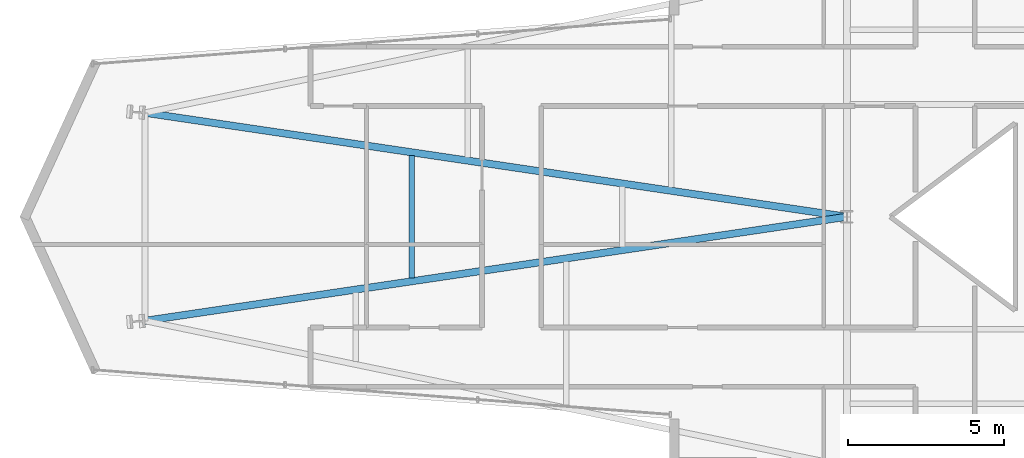
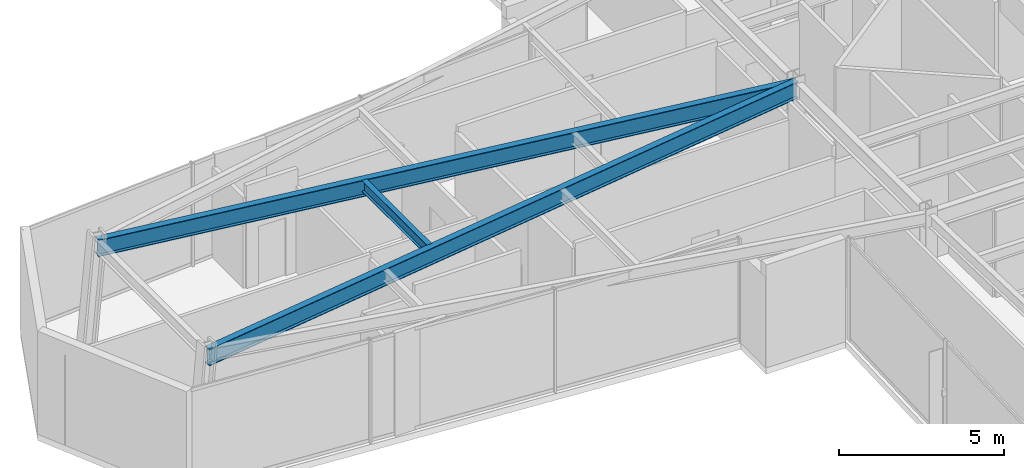
# One storey, part 7 of 29: 3 beams.
"""IFC4 building model written with IfcOpenShell, lengths in metres."""

import ifcopenshell
import ifcopenshell.guid

model = None  # the IFC model being written
_history = None  # IfcOwnerHistory: only IFC2X3 demands one
_inside = {}  # id of a spatial element -> (the spatial element, [elements in it])
_under = {}  # id of a project, library or spatial element -> (it, [spatial elements below it])
_declared = {}  # id of a project -> (the project, [libraries it declares])
_typed = {}  # id of a type object -> (the type object, [elements of that type])
_made_of = {}  # id of a material, layer set ... -> (it, [elements and type objects made of it])


def new_model(schema):
    """Start an empty IFC model of exactly this schema.

    Asked for "IFC4X3", IfcOpenShell would pick the latest addendum, in which some entities
    have other attributes; the version numbers below select the first issue.
    IFC2X3 requires an IfcOwnerHistory on every rooted entity: one is made here for all.
    """
    global model, _history
    if schema == "IFC4X3":
        model = ifcopenshell.file(schema_version=(4, 3, 0, 0))
    else:
        model = ifcopenshell.file(schema=schema)
    _inside.clear()
    _under.clear()
    _declared.clear()
    _typed.clear()
    _made_of.clear()
    _history = None
    if model.schema == "IFC2X3":
        org = make("IfcOrganization", Name="unknown")
        user = make(
            "IfcPersonAndOrganization",
            ThePerson=make("IfcPerson", FamilyName="unknown"),
            TheOrganization=org,
        )
        app = make(
            "IfcApplication",
            ApplicationDeveloper=org,
            Version="unknown",
            ApplicationFullName="unknown",
            ApplicationIdentifier="unknown",
        )
        _history = make(
            "IfcOwnerHistory",
            OwningUser=user,
            OwningApplication=app,
            ChangeAction="ADDED",
            CreationDate=0,
        )
    return model


def make(cls, **values):
    """One entity of the class cls with the attributes given. An attribute that is None is left unset."""
    return model.create_entity(
        cls, **{name: value for name, value in values.items() if value is not None}
    )


def rooted(cls, **values):
    """An entity with a GlobalId (a new one), such as an element, a storey or a relation."""
    return make(cls, GlobalId=ifcopenshell.guid.new(), OwnerHistory=_history, **values)


def si_unit(unit_type, name, prefix=None):
    """IfcSIUnit, for example si_unit("LENGTHUNIT", "METRE", prefix="MILLI")."""
    return make("IfcSIUnit", UnitType=unit_type, Prefix=prefix, Name=name)


def assignment(units):
    """IfcUnitAssignment: the units of a project."""
    return None if units is None else make("IfcUnitAssignment", Units=units)


def point(xyz):
    """IfcCartesianPoint."""
    return None if xyz is None else make("IfcCartesianPoint", Coordinates=xyz)


def direction(xyz):
    """IfcDirection."""
    return None if xyz is None else make("IfcDirection", DirectionRatios=xyz)


def frame(location, z_axis=None, x_axis=None):
    """IfcAxis2Placement3D, a coordinate frame: its origin and axes. An axis left out is left unset."""
    return make(
        "IfcAxis2Placement3D",
        Location=point(location),
        Axis=direction(z_axis),
        RefDirection=direction(x_axis),
    )


def frame_2d(location, x_axis=None):
    """IfcAxis2Placement2D, a coordinate frame in the plane: its origin and x axis."""
    return make(
        "IfcAxis2Placement2D", Location=point(location), RefDirection=direction(x_axis)
    )


def origin():
    """The frame at (0, 0, 0) with its axes left unset."""
    return frame((0.0, 0.0, 0.0))


def origin_2d():
    """The frame at (0, 0) in the plane with its x axis left unset."""
    return frame_2d((0.0, 0.0))


def place(relative_to, where):
    """IfcLocalPlacement: puts the frame where relative to a parent placement (None: the world)."""
    return make(
        "IfcLocalPlacement", PlacementRelTo=relative_to, RelativePlacement=where
    )


def context(
    kind, dimensions, precision=None, world=None, true_north=None, identifier=None
):
    """IfcGeometricRepresentationContext, for example the 3D "Model" context."""
    return make(
        "IfcGeometricRepresentationContext",
        ContextIdentifier=identifier,
        ContextType=kind,
        CoordinateSpaceDimension=dimensions,
        Precision=precision,
        WorldCoordinateSystem=world,
        TrueNorth=true_north,
    )


def subcontext(parent, identifier, kind, view, scale=None):
    """IfcGeometricRepresentationSubContext, for example "Body" below "Model"."""
    return make(
        "IfcGeometricRepresentationSubContext",
        ContextIdentifier=identifier,
        ContextType=kind,
        ParentContext=parent,
        TargetScale=scale,
        TargetView=view,
    )


def project(units=None, contexts=None):
    """IfcProject with its units and contexts."""
    return rooted(
        "IfcProject",
        Name="project",
        RepresentationContexts=contexts,
        UnitsInContext=assignment(units),
    )


def spatial(cls, under=None, at=None, **own):
    """A site, building, storey or space (cls), placed at a placement, below another one or the project."""
    s = rooted(cls, ObjectPlacement=at, **own)
    if under is not None:
        _under.setdefault(under.id(), (under, []))[1].append(s)
    return s


def profile(cls, at=None, kind="AREA", **sizes):
    """A parametric profile (cls). Its sizes go by their IFC names, for example OverallWidth=200.0."""
    return make(cls, ProfileType=kind, Position=at, **sizes)


def i_section(**sizes):
    """IfcIShapeProfileDef."""
    return profile("IfcIShapeProfileDef", **sizes)


def extrude(swept, where, along, depth):
    """IfcExtrudedAreaSolid: the profile swept, set in the frame where, extruded along a direction by depth."""
    return make(
        "IfcExtrudedAreaSolid",
        SweptArea=swept,
        Position=where,
        ExtrudedDirection=direction(along),
        Depth=depth,
    )


def shape(context_of_items, identifier, shape_type, items):
    """IfcShapeRepresentation: the items that make up one representation, for example the "Body"."""
    return make(
        "IfcShapeRepresentation",
        ContextOfItems=context_of_items,
        RepresentationIdentifier=identifier,
        RepresentationType=shape_type,
        Items=items,
    )


def material(Name=None, Category=None):
    """IfcMaterial."""
    return make("IfcMaterial", Name=Name, Category=Category)


def material_profile(
    of_material, cross_section, Name=None, Category=None, Priority=None
):
    """IfcMaterialProfile: a cross section and its material."""
    return make(
        "IfcMaterialProfile",
        Name=Name,
        Material=of_material,
        Profile=cross_section,
        Priority=Priority,
        Category=Category,
    )


def profile_set(profiles, Name=None, composite=None):
    """IfcMaterialProfileSet."""
    return make(
        "IfcMaterialProfileSet",
        Name=Name,
        MaterialProfiles=profiles,
        CompositeProfile=composite,
    )


def made_of(thing, what):
    """Note that an element or type object is made of a material, layer set ...; save() writes the relation."""
    if what is not None:
        _made_of.setdefault(what.id(), (what, []))[1].append(thing)
    return thing


def type_object(cls, material=None, **own):
    """A type object (cls), such as IfcWallType, which elements share."""
    return made_of(rooted(cls, **own), material)


def element(
    cls,
    number,
    at=None,
    inside=None,
    cuts=None,
    type_object=None,
    material=None,
    context=None,
    identifier="Body",
    shape_type=None,
    held_by="IfcProductDefinitionShape",
    body=None,
    shapes=None,
    **own,
):
    """One element of the class cls, such as IfcWall. Its Tag is "e" and its number.

    at: its placement. inside: the storey or other place that contains it. cuts: it is an
    opening in that element (IfcRelVoidsElement). A single representation is given by context,
    identifier, shape_type and body (its items); several are given by shapes. held_by: the class
    of the entity that holds the representations. save() writes the other relations.
    """
    e = rooted(cls, Tag="e%d" % number, ObjectPlacement=at, **own)
    if body is not None:
        shapes = [shape(context, identifier, shape_type, body)]
    if shapes is not None:
        e.Representation = make(held_by, Representations=shapes)
    if inside is not None:
        _inside.setdefault(inside.id(), (inside, []))[1].append(e)
    if cuts is not None:
        rooted(
            "IfcRelVoidsElement", RelatingBuildingElement=cuts, RelatedOpeningElement=e
        )
    if type_object is not None:
        _typed.setdefault(type_object.id(), (type_object, []))[1].append(e)
    return made_of(e, material)


def aggregate(whole, parts):
    """IfcRelAggregates: a whole, such as a stair, and the parts it consists of."""
    return rooted("IfcRelAggregates", RelatingObject=whole, RelatedObjects=parts)


def save(model, path):
    """Write the relations noted so far, then the file.

    IfcRelAggregates (storeys below a building ...), IfcRelContainedInSpatialStructure (elements
    in a storey), IfcRelDefinesByType, IfcRelAssociatesMaterial and IfcRelDeclares: one each for
    every whole, place, type object, material and project.
    """
    for whole, parts in _under.values():
        aggregate(whole, parts)
    for where, things in _inside.values():
        rooted(
            "IfcRelContainedInSpatialStructure",
            RelatedElements=things,
            RelatingStructure=where,
        )
    for kind, things in _typed.values():
        rooted("IfcRelDefinesByType", RelatedObjects=things, RelatingType=kind)
    for what, things in _made_of.values():
        rooted("IfcRelAssociatesMaterial", RelatedObjects=things, RelatingMaterial=what)
    for by, libraries in _declared.values():
        rooted("IfcRelDeclares", RelatingContext=by, RelatedDefinitions=libraries)
    model.write(path)


model = new_model("IFC4")

# Units and contexts
model_context = context("Model", 3, precision=1e-05, world=origin(), true_north=direction((0.0, 1.0)))
body_context = subcontext(model_context, "Body", "Model", "MODEL_VIEW")
ifc_project = project(units=[si_unit("LENGTHUNIT", "METRE"), si_unit("AREAUNIT", "SQUARE_METRE"), si_unit("VOLUMEUNIT", "CUBIC_METRE"), si_unit("PLANEANGLEUNIT", "RADIAN"), si_unit("MASSUNIT", "GRAM", prefix="KILO")], contexts=[model_context])

# Site, building, storey
site_placement = place(None, origin())
site = spatial("IfcSite", under=ifc_project, at=site_placement, CompositionType="ELEMENT")
building_placement = place(site_placement, origin())
building = spatial("IfcBuilding", under=site, at=building_placement, Name="Veymaron Broadcast Tower", CompositionType="ELEMENT")
storey_placement = place(building_placement, frame((0.0, 0.0, 58.050048828125)))
storey = spatial("IfcBuildingStorey", under=building, at=storey_placement, Name="L12", CompositionType="ELEMENT", Elevation=58.050048828125)

# Beams
ifc_material = material(Name="Structural steel ASTM A992 Gr 50", Category="steel")
ifc_material_profile_1 = material_profile(ifc_material, i_section(OverallWidth=0.22998046875, OverallDepth=0.616943359375, WebThickness=0.01318359375, FlangeThickness=0.022216796875, at=origin_2d()), Name="W610X140")
ifc_profile_set_1 = profile_set([ifc_material_profile_1], Name="Structural steel ASTM A992 Gr 50")
beam_type_1 = type_object("IfcBeamType", Name="BM-FG1", PredefinedType="BEAM", material=ifc_profile_set_1)
for number, where, z_axis, x_axis, name in (
    (1, (8.697021484375, 20.6650390625, 3.50146484375), (0.989195854941, 0.146600001937, 0.0), (-0.146600001937, 0.989195854941, 0.0), "L12 primary structural floor girder"),
    (2, (8.697021484375, 27.3349609375, 3.50146484375), (0.989195854941, -0.146600001937, 0.0), (0.146600001937, 0.989195854941, 0.0), "L12 primary structural floor girder"),
):
    element("IfcBeam", number, at=place(storey_placement, frame(where, z_axis=z_axis, x_axis=x_axis)), inside=storey, type_object=beam_type_1, Name=name, PredefinedType="BEAM", context=body_context, shape_type="SweptSolid", body=[
        extrude(i_section(OverallWidth=0.22998046875, OverallDepth=0.616943359375, WebThickness=0.01318359375, FlangeThickness=0.022216796875, at=origin_2d()), origin(), (0.0, 0.0, 1.0), 22.748779296875),
    ])
ifc_material_profile_2 = material_profile(ifc_material, i_section(OverallWidth=0.177978515625, OverallDepth=0.406982421875, WebThickness=0.0078125, FlangeThickness=0.0126953125, at=origin_2d()), Name="W410X60")
ifc_profile_set_2 = profile_set([ifc_material_profile_2], Name="Structural steel ASTM A992 Gr 50")
beam_type_2 = type_object("IfcBeamType", Name="BM-JS1", PredefinedType="JOIST", material=ifc_profile_set_2)
beam_placement = place(storey_placement, frame((17.248046875, 22.0322265625, 3.6064453125), z_axis=(0.0, 1.0, 0.0), x_axis=(-1.0, 0.0, 0.0)))
element("IfcBeam", 3, at=beam_placement, inside=storey, type_object=beam_type_2, Name="L12 Arm-A secondary joist 1M", PredefinedType="JOIST", context=body_context, shape_type="SweptSolid", body=[
    extrude(i_section(OverallWidth=0.177978515625, OverallDepth=0.406982421875, WebThickness=0.0078125, FlangeThickness=0.0126953125, at=origin_2d()), origin(), (0.0, 0.0, 1.0), 3.935546875),
])

save(model, "model.ifc")
